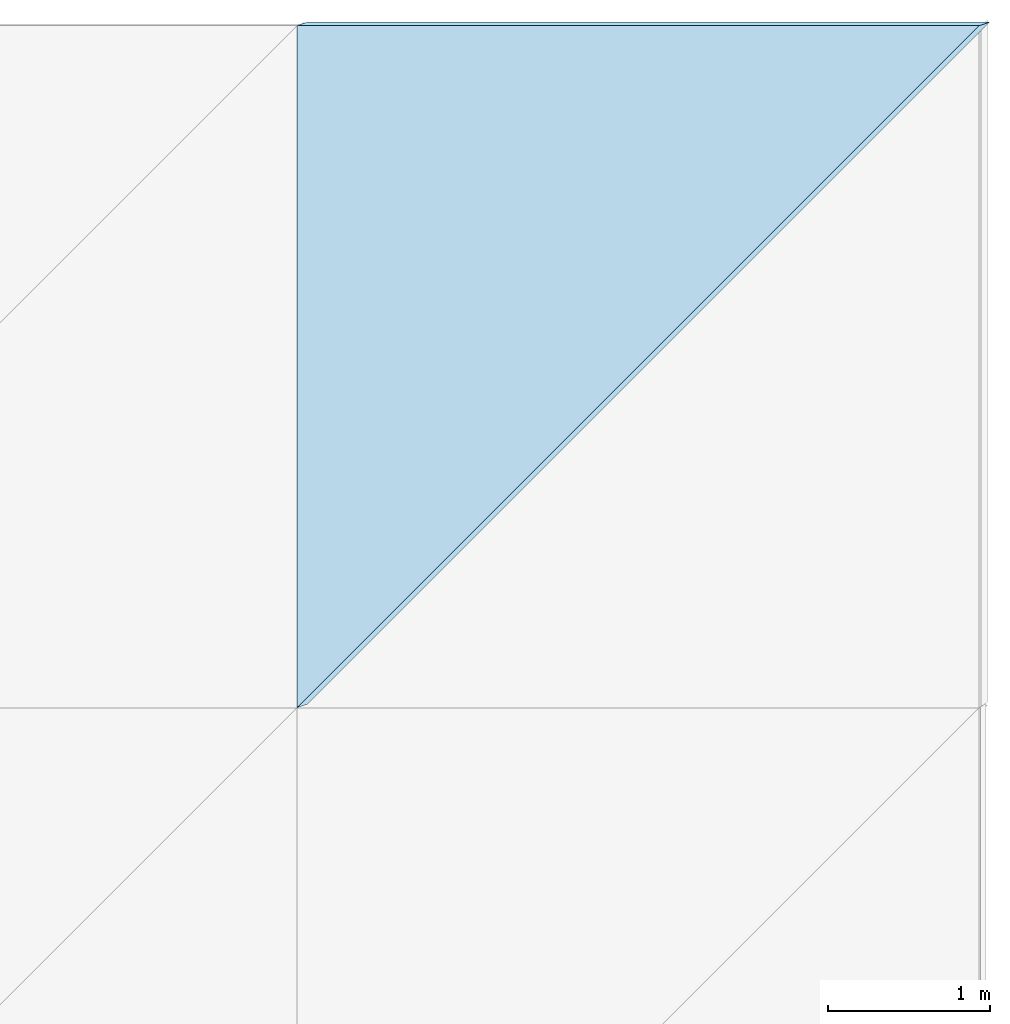
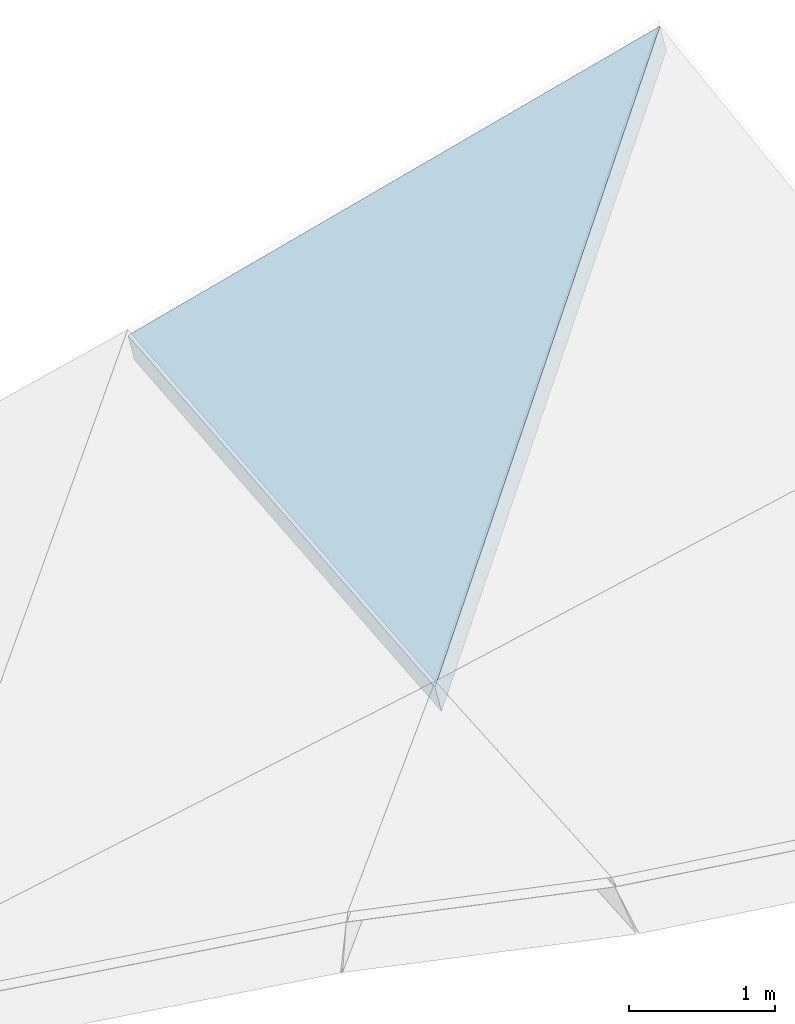
# One storey, part 65 of 93: 1 slab.
"""IFC4 building model written with IfcOpenShell, lengths in metres."""

from ifc_helpers import new_model, si_unit, direction, frame, origin, place, context, subcontext, project, spatial, polyline, outline, extrude, material, layer, layer_set, type_object, element, save


model = new_model("IFC4")

# Units and contexts
model_context = context("Model", 3, precision=1e-05, world=origin(), true_north=direction((0.0, 1.0)))
body_context = subcontext(model_context, "Body", "Model", "MODEL_VIEW")
ifc_project = project(units=[si_unit("LENGTHUNIT", "METRE"), si_unit("AREAUNIT", "SQUARE_METRE"), si_unit("VOLUMEUNIT", "CUBIC_METRE"), si_unit("PLANEANGLEUNIT", "RADIAN"), si_unit("MASSUNIT", "GRAM", prefix="KILO")], contexts=[model_context])

# Site, building, storey
site_placement = place(None, origin())
site = spatial("IfcSite", under=ifc_project, at=site_placement, CompositionType="ELEMENT")
building_placement = place(site_placement, origin())
building = spatial("IfcBuilding", under=site, at=building_placement, Name="Cumbredor Promenade Congress Hotel", CompositionType="ELEMENT")
storey_placement = place(building_placement, frame((0.0, 0.0, 21.840087890625)))
storey = spatial("IfcBuildingStorey", under=building, at=storey_placement, Name="L06", CompositionType="ELEMENT", Elevation=21.840087890625)

# Slab
ifc_material = material(Name="Concrete C40/50", Category="concrete")
ifc_layer = layer(ifc_material, 0.25, Name="Concrete C40/50", Category="concrete")
ifc_layer_set = layer_set([ifc_layer], Name="Concrete C40/50")
slab_type = type_object("IfcSlabType", Name="Catenary Space Frame Roof Deck 250mm", PredefinedType="ROOF", material=ifc_layer_set)
slab_placement = place(storey_placement, frame((176.39990234375, 117.60009765625, 1.26220703125), z_axis=(-0.254674209613, -0.088721337729, 0.962948374104), x_axis=(0.68566376361, 0.685623908706, 0.244509834326)))
element("IfcSlab", 1, at=slab_placement, inside=storey, type_object=slab_type, Name="Pre-Function and Breakout Meeting Forum Sweeping Roof Deck Facet 22.10.2", PredefinedType="ROOF", context=body_context, shape_type="SweptSolid", body=[
    extrude(outline(polyline([(0.0, 0.0), (6.125736163138468, 1.3877787807814457e-16), (2.9742031711139725, 2.990559416194675), (0.0, 0.0)])), origin(), (0.0, 0.0, -1.0), 0.25),
])

save(model, "model.ifc")
